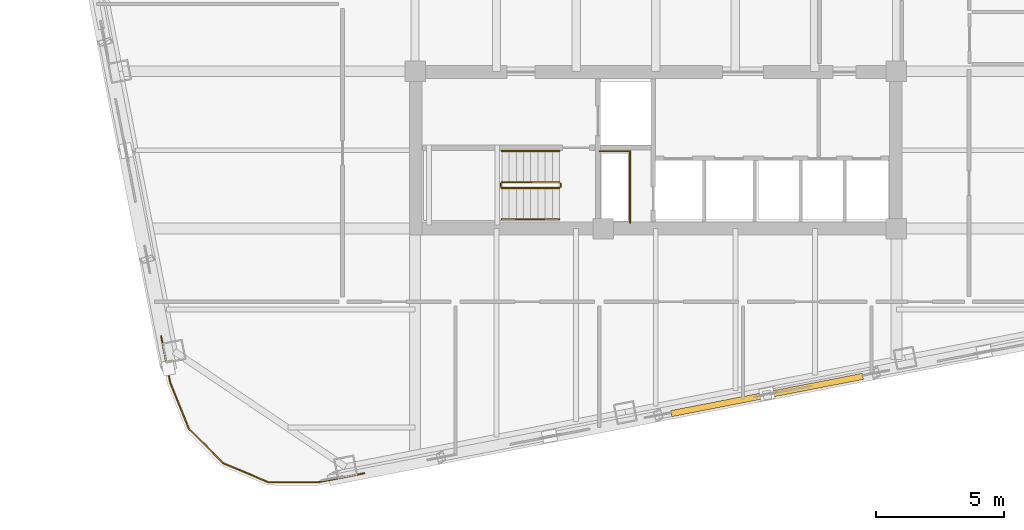
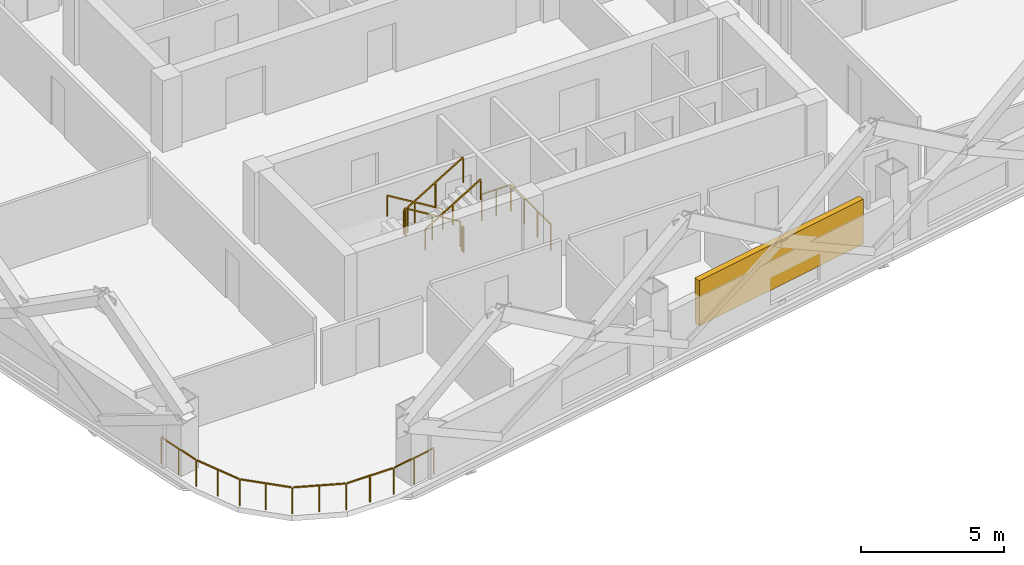
# One storey, part 8 of 10: 8 railings, 1 shading device.
"""IFC4 building model written with IfcOpenShell, lengths in metres."""

from ifc_helpers import new_model, si_unit, direction, frame, origin, origin_2d, place, context, subcontext, project, spatial, rectangle, extrude, material, type_object, element, save


model = new_model("IFC4")

# Units and contexts
model_context = context("Model", 3, precision=1e-05, world=origin(), true_north=direction((0.0, 1.0)))
body_context = subcontext(model_context, "Body", "Model", "MODEL_VIEW")
ifc_project = project(units=[si_unit("LENGTHUNIT", "METRE"), si_unit("AREAUNIT", "SQUARE_METRE"), si_unit("VOLUMEUNIT", "CUBIC_METRE"), si_unit("PLANEANGLEUNIT", "RADIAN"), si_unit("MASSUNIT", "GRAM", prefix="KILO")], contexts=[model_context])

# Site, building, storey
site_placement = place(None, origin())
site = spatial("IfcSite", under=ifc_project, at=site_placement, CompositionType="ELEMENT")
building_placement = place(site_placement, origin())
building = spatial("IfcBuilding", under=site, at=building_placement, Name="Qhalaya Broadcast Tower", CompositionType="ELEMENT")
storey_placement = place(building_placement, frame((0.0, 0.0, 125.0)))
storey = spatial("IfcBuildingStorey", under=building, at=storey_placement, Name="L36", CompositionType="ELEMENT", Elevation=125.0)

# Railings
ifc_material_1 = material(Name="Powder-Coated Galvanised Steel", Category="steel")
railing_type_1 = type_object("IfcRailingType", Name="Stair Wall Handrail 900", PredefinedType="HANDRAIL", material=ifc_material_1)
railing_1_placement = place(storey_placement, frame((-3.75, -5.72998046875, 0.16943359375)))
element("IfcRailing", 1, at=railing_1_placement, inside=storey, type_object=railing_type_1, Name="L36 ST-2 Stair Handrail 1", PredefinedType="HANDRAIL", context=body_context, shape_type="SweptSolid", body=[
    extrude(rectangle(XDim=0.048095703125, YDim=0.048095703125, at=origin_2d()), frame((0.0, 0.0, 0.8759765625), z_axis=(-0.855553338991, 0.0, 0.51771467445), x_axis=(0.0, -1.0, 0.0)), (0.0, 0.0, 1.0), 2.6181640625),
    extrude(rectangle(XDim=0.0419921875, YDim=0.0419921875, at=origin_2d()), origin(), (0.0, 0.0, 1.0), 0.849853515625),
    extrude(rectangle(XDim=0.0419921875, YDim=0.0419921875, at=origin_2d()), frame((-1.1201171875, 0.0, 0.677734375)), (0.0, 0.0, 1.0), 0.849853515625),
    extrude(rectangle(XDim=0.0419921875, YDim=0.0419921875, at=origin_2d()), frame((-2.239990234375, 0.0, 1.35546875)), (0.0, 0.0, 1.0), 0.849853515625),
])
railing_2_placement = place(storey_placement, frame((-5.989990234375, -8.389892578125, 1.6943359375)))
element("IfcRailing", 2, at=railing_2_placement, inside=storey, type_object=railing_type_1, Name="L36 ST-2 Stair Handrail 2", PredefinedType="HANDRAIL", context=body_context, shape_type="SweptSolid", body=[
    extrude(rectangle(XDim=0.048095703125, YDim=0.048095703125, at=origin_2d()), frame((0.0, 0.0, 0.8759765625), z_axis=(0.855512035549, 0.0, 0.517782924622), x_axis=(0.0, 1.0, 0.0)), (0.0, 0.0, 1.0), 2.618408203125),
    extrude(rectangle(XDim=0.0419921875, YDim=0.0419921875, at=origin_2d()), origin(), (0.0, 0.0, 1.0), 0.849853515625),
    extrude(rectangle(XDim=0.0419921875, YDim=0.0419921875, at=origin_2d()), frame((1.1201171875, 0.0, 0.677734375)), (0.0, 0.0, 1.0), 0.849853515625),
    extrude(rectangle(XDim=0.0419921875, YDim=0.0419921875, at=origin_2d()), frame((2.239990234375, 0.0, 1.355712890625)), (0.0, 0.0, 1.0), 0.849853515625),
])
railing_type_2 = type_object("IfcRailingType", Name="Stair Well & Landing Guardrail 1100", PredefinedType="GUARDRAIL", material=ifc_material_1)
railing_3_placement = place(storey_placement, frame((-1.0, -8.52001953125, 0.0)))
element("IfcRailing", 3, at=railing_3_placement, inside=storey, type_object=railing_type_2, Name="L36 Service Riser Opening Safety Guard SRSR", PredefinedType="GUARDRAIL", context=body_context, shape_type="SweptSolid", body=[
    extrude(rectangle(XDim=0.048095703125, YDim=0.048095703125, at=origin_2d()), frame((0.0, 0.0, 1.1259765625), z_axis=(0.0, 1.0, 0.0), x_axis=(-1.0, 0.0, 0.0)), (0.0, 0.0, 1.0), 2.751220703125),
    extrude(rectangle(XDim=0.048095703125, YDim=0.048095703125, at=origin_2d()), frame((-0.02880859375, 2.780029296875, 1.1259765625), z_axis=(-1.0, 0.0, 0.0), x_axis=(0.0, -1.0, 0.0)), (0.0, 0.0, 1.0), 1.151123046875),
    extrude(rectangle(XDim=0.0419921875, YDim=0.0419921875, at=origin_2d()), origin(), (0.0, 0.0, 1.0), 1.099853515625),
    extrude(rectangle(XDim=0.0419921875, YDim=0.0419921875, at=origin_2d()), frame((0.0, 0.9267578125, 0.0)), (0.0, 0.0, 1.0), 1.099853515625),
    extrude(rectangle(XDim=0.0419921875, YDim=0.0419921875, at=origin_2d()), frame((0.0, 1.853271484375, 0.0)), (0.0, 0.0, 1.0), 1.099853515625),
    extrude(rectangle(XDim=0.0419921875, YDim=0.0419921875, at=origin_2d()), frame((0.0, 2.780029296875, 0.0)), (0.0, 0.0, 1.0), 1.099853515625),
    extrude(rectangle(XDim=0.0419921875, YDim=0.0419921875, at=origin_2d()), frame((-0.58984375, 2.780029296875, 0.0)), (0.0, 0.0, 1.0), 1.099853515625),
    extrude(rectangle(XDim=0.0419921875, YDim=0.0419921875, at=origin_2d()), frame((-1.179931640625, 2.780029296875, 0.0)), (0.0, 0.0, 1.0), 1.099853515625),
])
railing_4_placement = place(storey_placement, frame((-3.75, -6.949951171875, 0.16943359375)))
element("IfcRailing", 4, at=railing_4_placement, inside=storey, type_object=railing_type_2, Name="L36 ST-2 Stair Guard 1", PredefinedType="GUARDRAIL", context=body_context, shape_type="SweptSolid", body=[
    extrude(rectangle(XDim=0.048095703125, YDim=0.048095703125, at=origin_2d()), frame((0.0, 0.0, 1.076171875), z_axis=(-0.855553338991, 0.0, 0.51771467445), x_axis=(0.0, -1.0, 0.0)), (0.0, 0.0, 1.0), 2.6181640625),
    extrude(rectangle(XDim=0.0419921875, YDim=0.0419921875, at=origin_2d()), origin(), (0.0, 0.0, 1.0), 1.050048828125),
    extrude(rectangle(XDim=0.0419921875, YDim=0.0419921875, at=origin_2d()), frame((-1.1201171875, 0.0, 0.677734375)), (0.0, 0.0, 1.0), 1.050048828125),
    extrude(rectangle(XDim=0.0419921875, YDim=0.0419921875, at=origin_2d()), frame((-2.239990234375, 0.0, 1.35546875)), (0.0, 0.0, 1.0), 1.050048828125),
])
railing_5_placement = place(storey_placement, frame((-6.0400390625, -7.0, 1.52490234375)))
element("IfcRailing", 5, at=railing_5_placement, inside=storey, type_object=railing_type_2, Name="L36 ST-2 Stair Guard 2", PredefinedType="GUARDRAIL", context=body_context, shape_type="SweptSolid", body=[
    extrude(rectangle(XDim=0.048095703125, YDim=0.048095703125, at=origin_2d()), frame((0.0, 0.0, 1.076171875), z_axis=(0.0, -1.0, 0.0), x_axis=(1.0, 0.0, 0.0)), (0.0, 0.0, 1.0), 0.1201171875),
    extrude(rectangle(XDim=0.0419921875, YDim=0.0419921875, at=origin_2d()), origin(), (0.0, 0.0, 1.0), 1.050048828125),
    extrude(rectangle(XDim=0.0419921875, YDim=0.0419921875, at=origin_2d()), frame((0.0, -0.1201171875, 0.0)), (0.0, 0.0, 1.0), 1.050048828125),
])
railing_6_placement = place(storey_placement, frame((-5.989990234375, -7.169921875, 1.6943359375)))
element("IfcRailing", 6, at=railing_6_placement, inside=storey, type_object=railing_type_2, Name="L36 ST-2 Stair Guard 3", PredefinedType="GUARDRAIL", context=body_context, shape_type="SweptSolid", body=[
    extrude(rectangle(XDim=0.048095703125, YDim=0.048095703125, at=origin_2d()), frame((0.0, 0.0, 1.076171875), z_axis=(0.855512035549, 0.0, 0.517782924622), x_axis=(0.0, 1.0, 0.0)), (0.0, 0.0, 1.0), 2.618408203125),
    extrude(rectangle(XDim=0.0419921875, YDim=0.0419921875, at=origin_2d()), origin(), (0.0, 0.0, 1.0), 1.050048828125),
    extrude(rectangle(XDim=0.0419921875, YDim=0.0419921875, at=origin_2d()), frame((1.1201171875, 0.0, 0.677734375)), (0.0, 0.0, 1.0), 1.050048828125),
    extrude(rectangle(XDim=0.0419921875, YDim=0.0419921875, at=origin_2d()), frame((2.239990234375, 0.0, 1.355712890625)), (0.0, 0.0, 1.0), 1.050048828125),
])
railing_7_placement = place(storey_placement, frame((-3.699951171875, -7.0, 0.0)))
element("IfcRailing", 7, at=railing_7_placement, inside=storey, type_object=railing_type_2, Name="L36 ST-2 Stair Guard 4", PredefinedType="GUARDRAIL", context=body_context, shape_type="SweptSolid", body=[
    extrude(rectangle(XDim=0.048095703125, YDim=0.048095703125, at=origin_2d()), frame((0.0, 0.0, 1.076171875), z_axis=(0.0, -1.0, 0.0), x_axis=(1.0, 0.0, 0.0)), (0.0, 0.0, 1.0), 0.1201171875),
    extrude(rectangle(XDim=0.0419921875, YDim=0.0419921875, at=origin_2d()), origin(), (0.0, 0.0, 1.0), 1.050048828125),
    extrude(rectangle(XDim=0.0419921875, YDim=0.0419921875, at=origin_2d()), frame((0.0, -0.1201171875, 0.0)), (0.0, 0.0, 1.0), 1.050048828125),
])
railing_type_3 = type_object("IfcRailingType", Name="Terrace, Sky-Pool & Lookout Glass Balustrade 1150", PredefinedType="BALUSTRADE", material=ifc_material_1)
railing_8_placement = place(storey_placement, frame((-11.351318359375, -18.281982421875, 0.0)))
element("IfcRailing", 8, at=railing_8_placement, inside=storey, type_object=railing_type_3, Name="L36 Rounded Corner Perimeter Guard 02", PredefinedType="BALUSTRADE", context=body_context, shape_type="SweptSolid", body=[
    extrude(rectangle(XDim=0.048095703125, YDim=0.048095703125, at=origin_2d()), frame((0.0, 0.0, 1.1259765625), z_axis=(-0.981643446311, -0.190725311155, 0.0), x_axis=(0.190725311155, -0.981643446311, 0.0)), (0.0, 0.0, 1.0), 1.8271484375),
    extrude(rectangle(XDim=0.048095703125, YDim=0.048095703125, at=origin_2d()), frame((-1.850830078125, -0.353759765625, 1.1259765625), z_axis=(-0.999990606087, 0.004334482484, 0.0), x_axis=(-0.004334482484, -0.999990606087, 0.0)), (0.0, 0.0, 1.0), 1.857421875),
    extrude(rectangle(XDim=0.048095703125, YDim=0.048095703125, at=origin_2d()), frame((-3.763671875, -0.33447265625, 1.1259765625), z_axis=(-0.922247496545, 0.386599993684, 0.0), x_axis=(-0.386599993684, -0.922247496545, 0.0)), (0.0, 0.0, 1.0), 1.845703125),
    extrude(rectangle(XDim=0.048095703125, YDim=0.048095703125, at=origin_2d()), frame((-5.5126953125, 0.41064453125, 1.1259765625), z_axis=(-0.704021268228, 0.710178888649, 0.0), x_axis=(-0.710178888649, -0.704021268228, 0.0)), (0.0, 0.0, 1.0), 1.845458984375),
    extrude(rectangle(XDim=0.048095703125, YDim=0.048095703125, at=origin_2d()), frame((-6.84326171875, 1.768310546875, 1.1259765625), z_axis=(-0.378588174109, 0.925565229698, 0.0), x_axis=(-0.925565229698, -0.378588174109, 0.0)), (0.0, 0.0, 1.0), 1.857666015625),
    extrude(rectangle(XDim=0.048095703125, YDim=0.048095703125, at=origin_2d()), frame((-7.56298828125, 3.542724609375, 1.1259765625), z_axis=(-0.190725311155, 0.981643446311, 0.0), x_axis=(-0.981643446311, -0.190725311155, 0.0)), (0.0, 0.0, 1.0), 1.8271484375),
    extrude(rectangle(XDim=0.0419921875, YDim=0.0419921875, at=origin_2d()), origin(), (0.0, 0.0, 1.0), 1.099853515625),
    extrude(rectangle(XDim=0.0419921875, YDim=0.0419921875, at=origin_2d()), frame((-0.9111328125, -0.177001953125, 0.0)), (0.0, 0.0, 1.0), 1.099853515625),
    extrude(rectangle(XDim=0.0419921875, YDim=0.0419921875, at=origin_2d()), frame((-1.822021484375, -0.35400390625, 0.0)), (0.0, 0.0, 1.0), 1.099853515625),
    extrude(rectangle(XDim=0.0419921875, YDim=0.0419921875, at=origin_2d()), frame((-2.779541015625, -0.349853515625, 0.0)), (0.0, 0.0, 1.0), 1.099853515625),
    extrude(rectangle(XDim=0.0419921875, YDim=0.0419921875, at=origin_2d()), frame((-3.737060546875, -0.345703125, 0.0)), (0.0, 0.0, 1.0), 1.099853515625),
    extrude(rectangle(XDim=0.0419921875, YDim=0.0419921875, at=origin_2d()), frame((-4.61474609375, 0.022216796875, 0.0)), (0.0, 0.0, 1.0), 1.099853515625),
    extrude(rectangle(XDim=0.0419921875, YDim=0.0419921875, at=origin_2d()), frame((-5.492431640625, 0.39013671875, 0.0)), (0.0, 0.0, 1.0), 1.099853515625),
    extrude(rectangle(XDim=0.0419921875, YDim=0.0419921875, at=origin_2d()), frame((-6.162353515625, 1.06591796875, 0.0)), (0.0, 0.0, 1.0), 1.099853515625),
    extrude(rectangle(XDim=0.0419921875, YDim=0.0419921875, at=origin_2d()), frame((-6.832275390625, 1.74169921875, 0.0)), (0.0, 0.0, 1.0), 1.099853515625),
    extrude(rectangle(XDim=0.0419921875, YDim=0.0419921875, at=origin_2d()), frame((-7.19482421875, 2.6279296875, 0.0)), (0.0, 0.0, 1.0), 1.099853515625),
    extrude(rectangle(XDim=0.0419921875, YDim=0.0419921875, at=origin_2d()), frame((-7.557373046875, 3.514404296875, 0.0)), (0.0, 0.0, 1.0), 1.099853515625),
    extrude(rectangle(XDim=0.0419921875, YDim=0.0419921875, at=origin_2d()), frame((-7.734375, 4.42529296875, 0.0)), (0.0, 0.0, 1.0), 1.099853515625),
    extrude(rectangle(XDim=0.0419921875, YDim=0.0419921875, at=origin_2d()), frame((-7.911376953125, 5.33642578125, 0.0)), (0.0, 0.0, 1.0), 1.099853515625),
])

# Shading device
ifc_material_2 = material(Name="Fired Architectural Terracotta", Category="masonry")
shading_device_type = type_object("IfcShadingDeviceType", Name="Terracotta Baguette Solar Screen Assembly TBS-01", PredefinedType="USERDEFINED", material=ifc_material_2)
shading_device_placement = place(storey_placement, frame((4.337158203125, -15.232421875, 0.79248046875), z_axis=(0.0, 0.0, 1.0), x_axis=(0.981627183448, 0.190808995377, 0.0)))
element("IfcShadingDevice", 9, at=shading_device_placement, inside=storey, type_object=shading_device_type, Name="L36 Fired Terracotta Baguette Screen S", ObjectType="BAGUETTE", PredefinedType="USERDEFINED", context=body_context, shape_type="SweptSolid", body=[
    extrude(rectangle(XDim=7.60009765625, YDim=0.239990234375, at=origin_2d()), origin(), (0.0, 0.0, 1.0), 1.924072265625),
])

save(model, "model.ifc")
